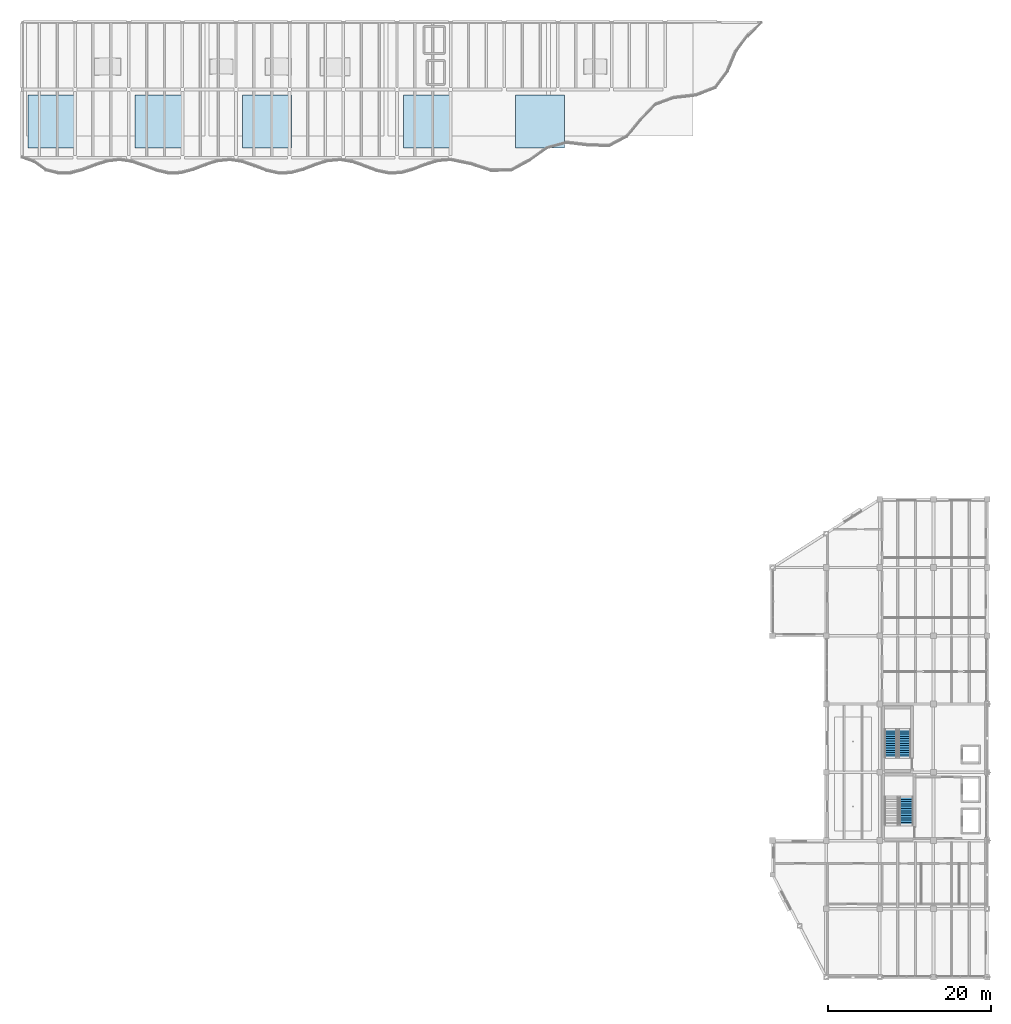
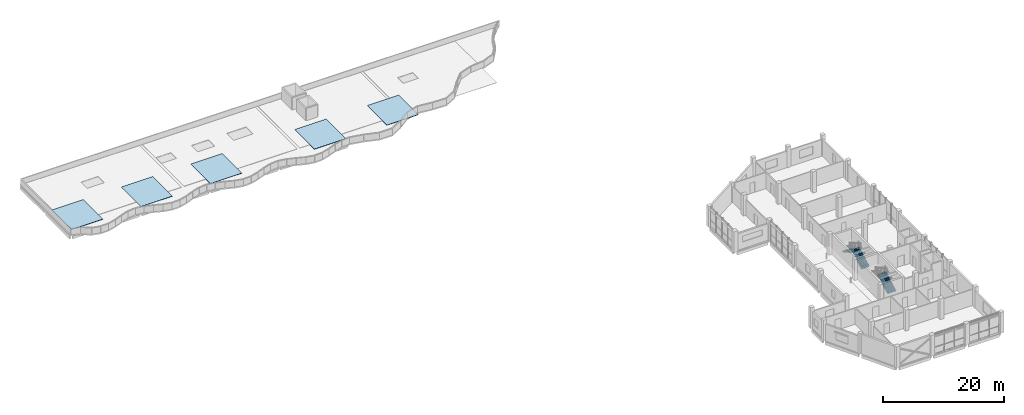
# One storey, part 13 of 19: 5 roofs, 3 stair flights, 2 elements without a shape of their own.
"""IFC4 building model written with IfcOpenShell, lengths in metres."""

from ifc_helpers import new_model, si_unit, direction, frame, origin, place, context, subcontext, project, spatial, polyline, outline, extrude, material, layer, layer_set, type_object, element, aggregate, save


model = new_model("IFC4")

# Units and contexts
model_context = context("Model", 3, precision=1e-05, world=origin(), true_north=direction((0.0, 1.0)))
body_context = subcontext(model_context, "Body", "Model", "MODEL_VIEW")
ifc_project = project(units=[si_unit("LENGTHUNIT", "METRE"), si_unit("AREAUNIT", "SQUARE_METRE"), si_unit("VOLUMEUNIT", "CUBIC_METRE"), si_unit("PLANEANGLEUNIT", "RADIAN"), si_unit("MASSUNIT", "GRAM", prefix="KILO")], contexts=[model_context])

# Site, building, storey
site_placement = place(None, origin())
site = spatial("IfcSite", under=ifc_project, at=site_placement, CompositionType="ELEMENT")
building_placement = place(site_placement, origin())
building = spatial("IfcBuilding", under=site, at=building_placement, Name="Qaldarim Faculty of Natural and Applied Sciences", CompositionType="ELEMENT")
storey_placement = place(building_placement, frame((0.0, 0.0, 27.0)))
storey = spatial("IfcBuildingStorey", under=building, at=storey_placement, Name="L06", CompositionType="ELEMENT", Elevation=27.0)

# Stair, stair flights
ifc_material = material(Name="Concrete C40/50", Category="concrete")
stair_type_1 = type_object("IfcStairType", Name="DoglegStair-W1500-H4200-26R", PredefinedType="HALF_TURN_STAIR", material=ifc_material)
stair_1_placement = place(storey_placement, origin())
stair_1 = element("IfcStair", 1, at=stair_1_placement, inside=storey, type_object=stair_type_1, Name="Enclosed exit stair ST-A2 L06", PredefinedType="HALF_TURN_STAIR")
stair_flight_type_1 = type_object("IfcStairFlightType", Name="StairFlight-W1500-13R", PredefinedType="STRAIGHT", material=ifc_material)
stair_flight_1_placement = place(storey_placement, frame((168.050048828125, 27.050048828125, 0.0), z_axis=(0.0, 0.0, 1.0), x_axis=(0.0, 1.0, 0.0)))
stair_flight_1 = element("IfcStairFlight", 2, at=stair_flight_1_placement, type_object=stair_flight_type_1, Name="ST-A2 L06 flight 1", NumberOfRisers=13, NumberOfTreads=12, PredefinedType="STRAIGHT", RiserHeight=0.161538462, TreadLength=0.285, context=body_context, shape_type="SweptSolid", body=[
    extrude(outline(polyline([(0.0, 0.0), (0.0, 0.16162109375), (0.284912109375, 0.16162109375), (0.284912109375, 0.322998046875), (0.570068359375, 0.322998046875), (0.570068359375, 0.484619140625), (0.85498046875, 0.484619140625), (0.85498046875, 0.646240234375), (1.139892578125, 0.646240234375), (1.139892578125, 0.8076171875), (1.425048828125, 0.8076171875), (1.425048828125, 0.96923828125), (1.7099609375, 0.96923828125), (1.7099609375, 1.130859375), (1.9951171875, 1.130859375), (1.9951171875, 1.292236328125), (2.280029296875, 1.292236328125), (2.280029296875, 1.453857421875), (2.56494140625, 1.453857421875), (2.56494140625, 1.615478515625), (2.85009765625, 1.615478515625), (2.85009765625, 1.77685546875), (3.135009765625, 1.77685546875), (3.135009765625, 1.9384765625), (3.419921875, 1.9384765625), (3.419921875, 2.10009765625), (3.419921875, 1.76611328125), (0.303955078125, 0.0), (0.0, 0.0)])), frame((0.0, 0.75, 0.0), z_axis=(0.0, -1.0, 0.0), x_axis=(1.0, 0.0, 0.0)), (0.0, 0.0, 1.0), 1.5),
])
stair_flight_2_placement = place(storey_placement, frame((166.35009765625, 30.469970703125, 2.10009765625), z_axis=(0.0, 0.0, 1.0), x_axis=(0.0, -1.0, 0.0)))
stair_flight_2 = element("IfcStairFlight", 3, at=stair_flight_2_placement, type_object=stair_flight_type_1, Name="ST-A2 L06 flight 2", NumberOfRisers=13, NumberOfTreads=12, PredefinedType="STRAIGHT", RiserHeight=0.161538462, TreadLength=0.285, context=body_context, shape_type="SweptSolid", body=[
    extrude(outline(polyline([(0.0, 0.0), (0.0, 0.16162109375), (0.284912109375, 0.16162109375), (0.284912109375, 0.322998046875), (0.570068359375, 0.322998046875), (0.570068359375, 0.484619140625), (0.85498046875, 0.484619140625), (0.85498046875, 0.646240234375), (1.139892578125, 0.646240234375), (1.139892578125, 0.8076171875), (1.425048828125, 0.8076171875), (1.425048828125, 0.96923828125), (1.7099609375, 0.96923828125), (1.7099609375, 1.130859375), (1.9951171875, 1.130859375), (1.9951171875, 1.292236328125), (2.280029296875, 1.292236328125), (2.280029296875, 1.453857421875), (2.56494140625, 1.453857421875), (2.56494140625, 1.615478515625), (2.85009765625, 1.615478515625), (2.85009765625, 1.77685546875), (3.135009765625, 1.77685546875), (3.135009765625, 1.9384765625), (3.419921875, 1.9384765625), (3.419921875, 2.10009765625), (3.419921875, 1.76611328125), (0.303955078125, 0.0), (0.0, 0.0)])), frame((0.0, 0.75, 0.0), z_axis=(0.0, -1.0, 0.0), x_axis=(1.0, 0.0, 0.0)), (0.0, 0.0, 1.0), 1.5),
])
aggregate(stair_1, [stair_flight_1, stair_flight_2])

# Stair, stair flight
stair_type_2 = type_object("IfcStairType", Name="DoglegStair-W1650-H4200-26R", PredefinedType="HALF_TURN_STAIR", material=ifc_material)
stair_2_placement = place(storey_placement, origin())
stair_2 = element("IfcStair", 4, at=stair_2_placement, inside=storey, type_object=stair_type_2, Name="Enclosed exit stair ST-A1 L06", PredefinedType="HALF_TURN_STAIR")
stair_flight_type_2 = type_object("IfcStairFlightType", Name="StairFlight-W1650-13R", PredefinedType="STRAIGHT", material=ifc_material)
stair_flight_3_placement = place(storey_placement, frame((168.27490234375, 18.75, 0.0), z_axis=(0.0, 0.0, 1.0), x_axis=(0.0, 1.0, 0.0)))
stair_flight_3 = element("IfcStairFlight", 5, at=stair_flight_3_placement, type_object=stair_flight_type_2, Name="ST-A1 L06 flight 1", NumberOfRisers=13, NumberOfTreads=12, PredefinedType="STRAIGHT", RiserHeight=0.161538462, TreadLength=0.285, context=body_context, shape_type="SweptSolid", body=[
    extrude(outline(polyline([(0.0, 0.0), (0.0, 0.16162109375), (0.284912109375, 0.16162109375), (0.284912109375, 0.322998046875), (0.570068359375, 0.322998046875), (0.570068359375, 0.484619140625), (0.85498046875, 0.484619140625), (0.85498046875, 0.646240234375), (1.139892578125, 0.646240234375), (1.139892578125, 0.8076171875), (1.425048828125, 0.8076171875), (1.425048828125, 0.96923828125), (1.7099609375, 0.96923828125), (1.7099609375, 1.130859375), (1.9951171875, 1.130859375), (1.9951171875, 1.292236328125), (2.280029296875, 1.292236328125), (2.280029296875, 1.453857421875), (2.56494140625, 1.453857421875), (2.56494140625, 1.615478515625), (2.85009765625, 1.615478515625), (2.85009765625, 1.77685546875), (3.135009765625, 1.77685546875), (3.135009765625, 1.9384765625), (3.419921875, 1.9384765625), (3.419921875, 2.10009765625), (3.419921875, 1.76611328125), (0.303955078125, 0.0), (0.0, 0.0)])), frame((0.0, 0.824951171875, 0.0), z_axis=(0.0, -1.0, 0.0), x_axis=(1.0, 0.0, 0.0)), (0.0, 0.0, 1.0), 1.64990234375),
])
aggregate(stair_2, [stair_flight_3])

# Roofs
ifc_layer = layer(ifc_material, 0.050048828125)
ifc_layer_set = layer_set([ifc_layer], Name="Concrete C40/50")
roof_type = type_object("IfcRoofType", Name="FlatRoofAssembly", PredefinedType="FLAT_ROOF", material=ifc_layer_set)
roof_1_placement = place(storey_placement, origin())
element("IfcRoof", 6, at=roof_1_placement, inside=storey, type_object=roof_type, Name="Laboratories crown roof weatherproofing zone 1", PredefinedType="FLAT_ROOF", context=body_context, shape_type="SweptSolid", body=[
    extrude(outline(polyline([(60.199951171875, 102.0), (66.199951171875, 102.0), (66.199951171875, 108.5), (60.199951171875, 108.5), (60.199951171875, 102.0)])), origin(), (0.0, 0.0, 1.0), 0.050048828125),
])
roof_2_placement = place(storey_placement, origin())
element("IfcRoof", 7, at=roof_2_placement, inside=storey, type_object=roof_type, Name="Laboratories crown roof weatherproofing zone 2", PredefinedType="FLAT_ROOF", context=body_context, shape_type="SweptSolid", body=[
    extrude(outline(polyline([(73.39990234375, 102.0), (79.39990234375, 102.0), (79.39990234375, 108.5), (73.39990234375, 108.5), (73.39990234375, 102.0)])), origin(), (0.0, 0.0, 1.0), 0.050048828125),
])
roof_3_placement = place(storey_placement, origin())
element("IfcRoof", 8, at=roof_3_placement, inside=storey, type_object=roof_type, Name="Laboratories crown roof weatherproofing zone 3", PredefinedType="FLAT_ROOF", context=body_context, shape_type="SweptSolid", body=[
    extrude(outline(polyline([(86.60009765625, 102.0), (92.60009765625, 102.0), (92.60009765625, 108.5), (86.60009765625, 108.5), (86.60009765625, 102.0)])), origin(), (0.0, 0.0, 1.0), 0.050048828125),
])
roof_4_placement = place(storey_placement, origin())
element("IfcRoof", 9, at=roof_4_placement, inside=storey, type_object=roof_type, Name="Laboratories crown roof weatherproofing zone 4", PredefinedType="FLAT_ROOF", context=body_context, shape_type="SweptSolid", body=[
    extrude(outline(polyline([(106.39990234375, 102.0), (112.39990234375, 102.0), (112.39990234375, 108.5), (106.39990234375, 108.5), (106.39990234375, 102.0)])), origin(), (0.0, 0.0, 1.0), 0.050048828125),
])
roof_5_placement = place(storey_placement, origin())
element("IfcRoof", 10, at=roof_5_placement, inside=storey, type_object=roof_type, Name="Laboratories crown roof weatherproofing zone 5", PredefinedType="FLAT_ROOF", context=body_context, shape_type="SweptSolid", body=[
    extrude(outline(polyline([(120.199951171875, 102.0), (126.199951171875, 102.0), (126.199951171875, 108.5), (120.199951171875, 108.5), (120.199951171875, 102.0)])), origin(), (0.0, 0.0, 1.0), 0.050048828125),
])

save(model, "model.ifc")
